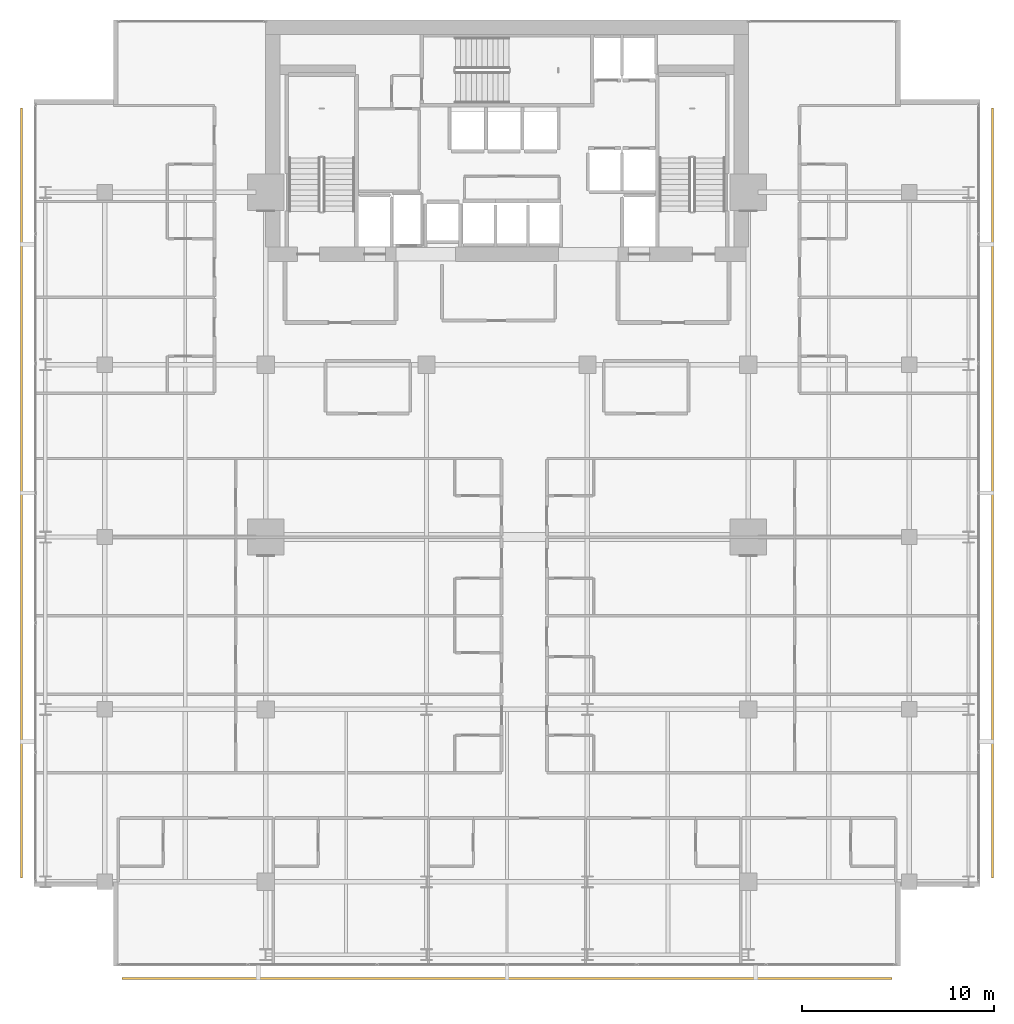
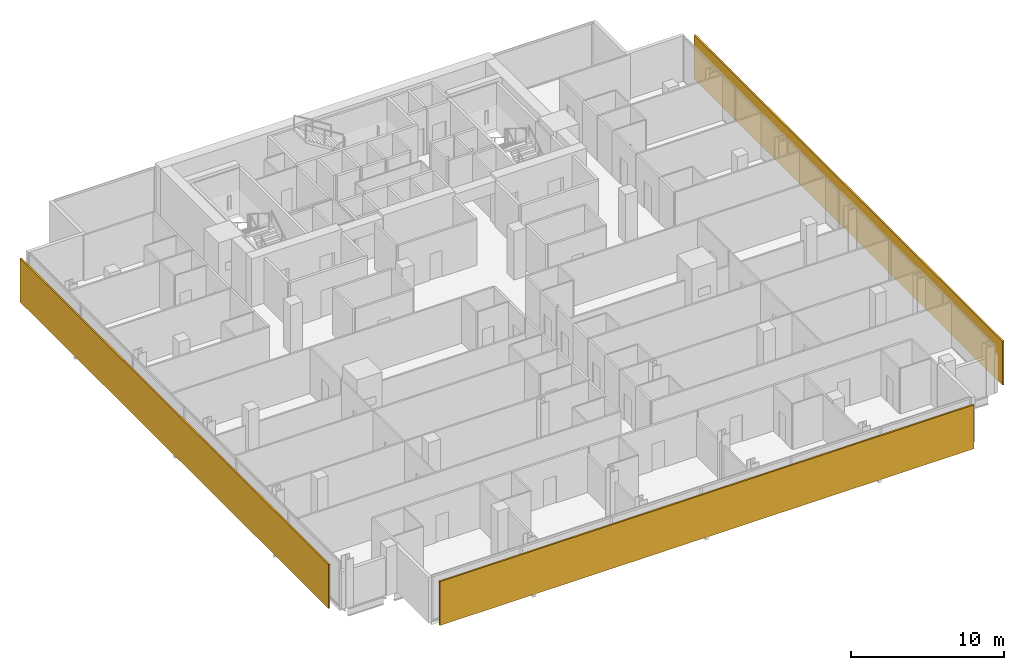
# One storey, part 33 of 34: 3 shading devices.
"""IFC4 building model written with IfcOpenShell, lengths in metres."""

from ifc_helpers import new_model, si_unit, direction, frame, origin, origin_2d, place, context, subcontext, project, spatial, rectangle, extrude, material, layer, layer_set, type_object, element, save


model = new_model("IFC4")

# Units and contexts
model_context = context("Model", 3, precision=1e-05, world=origin(), true_north=direction((0.0, 1.0)))
body_context = subcontext(model_context, "Body", "Model", "MODEL_VIEW")
ifc_project = project(units=[si_unit("LENGTHUNIT", "METRE"), si_unit("AREAUNIT", "SQUARE_METRE"), si_unit("VOLUMEUNIT", "CUBIC_METRE"), si_unit("PLANEANGLEUNIT", "RADIAN"), si_unit("MASSUNIT", "GRAM", prefix="KILO")], contexts=[model_context])

# Site, building, storey
site_placement = place(None, origin())
site = spatial("IfcSite", under=ifc_project, at=site_placement, CompositionType="ELEMENT")
building_placement = place(site_placement, origin())
building = spatial("IfcBuilding", under=site, at=building_placement, Name="Maruvema Waterfront Hotel and Observation Tower", CompositionType="ELEMENT")
storey_placement = place(building_placement, frame((0.0, 0.0, 173.60009765625)))
storey = spatial("IfcBuildingStorey", under=building, at=storey_placement, Name="L42", CompositionType="ELEMENT", Elevation=173.60009765625)

# Shading devices
ifc_material = material(Name="Honed travertine stone and anodised architectural bronze", Category="masonry")
ifc_layer = layer(ifc_material, 0.1201171875, Name="Ventilated Outer Skin Cobogo Stone-and-Bronze Screen 120 mm")
ifc_layer_set = layer_set([ifc_layer], Name="Honed travertine stone and anodised architectural bronze")
shading_device_type = type_object("IfcShadingDeviceType", Name="Ventilated Outer Skin Cobogo Stone-and-Bronze Screen 120 mm", PredefinedType="USERDEFINED", material=ifc_layer_set)
for number, where, z_axis, x_axis, name in (
    (1, (37.800048828125, 3.949951171875, 0.06005859375), (0.0, 0.0, 1.0), (1.0, 0.0, 0.0), "L42 Ventilated Double-Skin Outer Cobogo Screen OS-L42-S"),
    (2, (63.14990234375, 29.300048828125, 0.06005859375), (0.0, 0.0, 1.0), (0.0, 1.0, 0.0), "L42 Ventilated Double-Skin Outer Cobogo Screen OS-L42-E"),
    (3, (12.449951171875, 29.300048828125, 0.06005859375), (0.0, 0.0, 1.0), (0.0, -1.0, 0.0), "L42 Ventilated Double-Skin Outer Cobogo Screen OS-L42-W"),
):
    element("IfcShadingDevice", number, at=place(storey_placement, frame(where, z_axis=z_axis, x_axis=x_axis)), inside=storey, type_object=shading_device_type, Name=name, ObjectType="OUTER SKIN SCREEN", PredefinedType="USERDEFINED", context=body_context, shape_type="SweptSolid", body=[
        extrude(rectangle(XDim=40.199951171875, YDim=0.1201171875, at=origin_2d()), origin(), (0.0, 0.0, 1.0), 3.489990234375),
    ])

save(model, "model.ifc")
